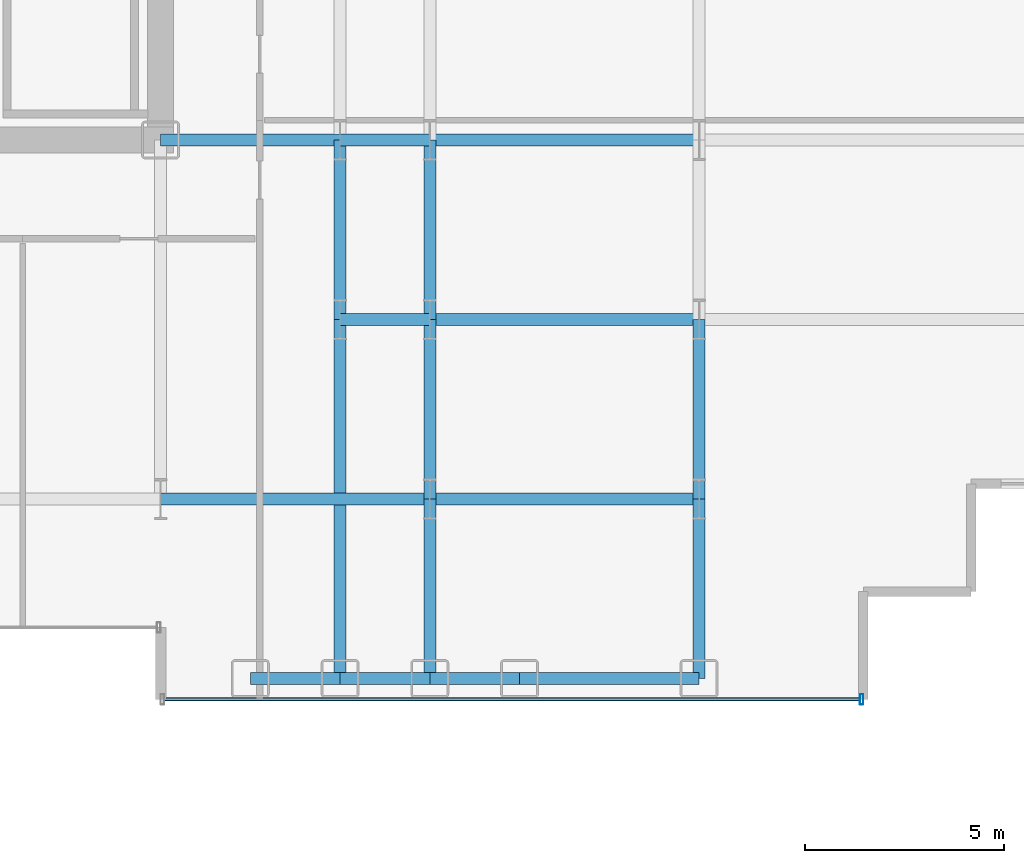
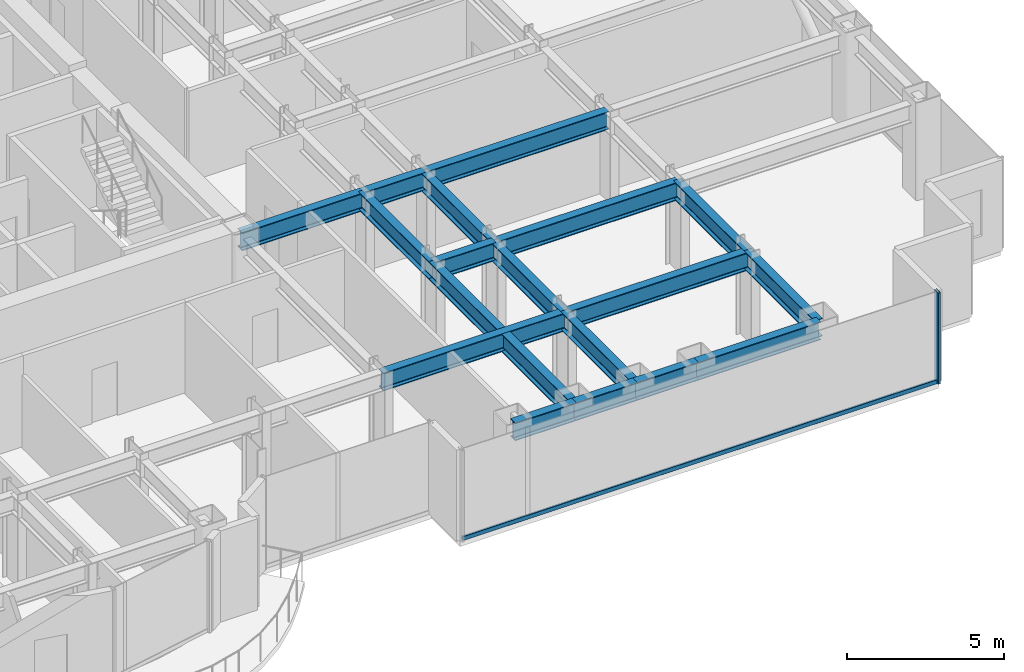
# One storey, part 9 of 29: 18 beams, 2 members, 1 element without a shape of its own.
"""IFC4 building model written with IfcOpenShell, lengths in metres."""

from ifc_helpers import new_model, si_unit, direction, frame, origin, origin_2d, place, context, subcontext, project, spatial, hollow_rectangle, i_section, extrude, source, transform, mapped, material, layer, layer_set, material_profile, profile_set, type_object, element, aggregate, save


model = new_model("IFC4")

# Units and contexts
model_context = context("Model", 3, precision=1e-05, world=origin(), true_north=direction((0.0, 1.0)))
body_context = subcontext(model_context, "Body", "Model", "MODEL_VIEW")
ifc_project = project(units=[si_unit("LENGTHUNIT", "METRE"), si_unit("AREAUNIT", "SQUARE_METRE"), si_unit("VOLUMEUNIT", "CUBIC_METRE"), si_unit("PLANEANGLEUNIT", "RADIAN"), si_unit("MASSUNIT", "GRAM", prefix="KILO")], contexts=[model_context])

# Site, building, storey
site_placement = place(None, origin())
site = spatial("IfcSite", under=ifc_project, at=site_placement, CompositionType="ELEMENT")
building_placement = place(site_placement, origin())
building = spatial("IfcBuilding", under=site, at=building_placement, Name="Nefas-Gora Pilgrimage Tower", CompositionType="ELEMENT")
storey_placement = place(building_placement, frame((0.0, 0.0, 55.800048828125)))
storey = spatial("IfcBuildingStorey", under=building, at=storey_placement, Name="L12", CompositionType="ELEMENT", Elevation=55.800048828125)

# Beams
ifc_material_1 = material(Name="Steel S355", Category="steel")
ifc_material_profile_1 = material_profile(ifc_material_1, i_section(OverallWidth=0.300048828125, OverallDepth=0.699951171875, WebThickness=0.01708984375, FlangeThickness=0.031982421875, FilletRadius=0.027099609375, at=origin_2d()), Name="HEB 700")
ifc_profile_set_1 = profile_set([ifc_material_profile_1], Name="Steel S355")
beam_type_1 = type_object("IfcBeamType", Name="BM-SPN-HEB600", PredefinedType="SPANDREL", material=ifc_profile_set_1)
shared_shape_1 = source(origin(), body_context, "Body", "SweptSolid", [
    extrude(i_section(OverallWidth=0.300048828125, OverallDepth=0.699951171875, WebThickness=0.01708984375, FlangeThickness=0.031982421875, FilletRadius=0.027099609375, at=origin_2d()), origin(), (0.0, 0.0, 1.0), 4.5),
])
beam_1_placement = place(storey_placement, frame((20.25, -22.5, 3.199951171875), z_axis=(1.0, 0.0, 0.0), x_axis=(0.0, 1.0, 0.0)))
element("IfcBeam", 1, at=beam_1_placement, inside=storey, type_object=beam_type_1, Name="L12 SP-01 beam", PredefinedType="SPANDREL", context=body_context, shape_type="MappedRepresentation", body=[
    mapped(shared_shape_1, transform((0.0, 0.0, 0.0), x_axis=(1.0, 0.0, 0.0), y_axis=(0.0, 1.0, 0.0), z_axis=(0.0, 0.0, 1.0), scale=1.0)),
])
ifc_material_profile_2 = material_profile(ifc_material_1, i_section(OverallWidth=0.300048828125, OverallDepth=0.699951171875, WebThickness=0.01708984375, FlangeThickness=0.031982421875, FilletRadius=0.027099609375, at=origin_2d()), Name="HEB 700")
ifc_profile_set_2 = profile_set([ifc_material_profile_2], Name="Steel S355")
beam_type_2 = type_object("IfcBeamType", Name="BM-GIR-HEB700", PredefinedType="BEAM", material=ifc_profile_set_2)
shared_shape_2 = source(origin(), body_context, "Body", "SweptSolid", [
    extrude(i_section(OverallWidth=0.300048828125, OverallDepth=0.699951171875, WebThickness=0.01708984375, FlangeThickness=0.031982421875, FilletRadius=0.027099609375, at=origin_2d()), origin(), (0.0, 0.0, 1.0), 9.0),
])
beam_2_placement = place(storey_placement, frame((15.75, -22.5, 3.199951171875), z_axis=(0.0, 1.0, 0.0), x_axis=(-1.0, 0.0, 0.0)))
element("IfcBeam", 2, at=beam_2_placement, inside=storey, type_object=beam_type_2, Name="L12 G-02 beam", PredefinedType="BEAM", context=body_context, shape_type="MappedRepresentation", body=[
    mapped(shared_shape_2, transform((0.0, 0.0, 0.0), x_axis=(1.0, 0.0, 0.0), y_axis=(0.0, 1.0, 0.0), z_axis=(0.0, 0.0, 1.0), scale=1.0)),
])
shared_shape_3 = source(origin(), body_context, "Body", "SweptSolid", [
    extrude(i_section(OverallWidth=0.300048828125, OverallDepth=0.699951171875, WebThickness=0.01708984375, FlangeThickness=0.031982421875, FilletRadius=0.027099609375, at=origin_2d()), origin(), (0.0, 0.0, 1.0), 4.5),
])
for number, where, z_axis, x_axis, name in (
    (3, (11.25, -9.0, 3.199951171875), (1.0, 0.0, 0.0), (0.0, 1.0, 0.0), "L12 G-02 beam"),
    (4, (15.75, -13.5, 3.199951171875), (0.0, 1.0, 0.0), (-1.0, 0.0, 0.0), "L12 G-02 beam"),
    (5, (18.0, -22.5, 3.199951171875), (0.0, 1.0, 0.0), (-1.0, 0.0, 0.0), "L12 G-02 beam"),
    (6, (18.0, -18.0, 3.199951171875), (0.0, 1.0, 0.0), (-1.0, 0.0, 0.0), "L12 G-02 beam"),
    (7, (18.0, -13.5, 3.199951171875), (0.0, 1.0, 0.0), (-1.0, 0.0, 0.0), "L12 G-02 beam"),
    (8, (24.75, -22.5, 3.199951171875), (0.0, 1.0, 0.0), (-1.0, 0.0, 0.0), "L12 G-02 beam"),
    (9, (24.75, -18.0, 3.199951171875), (0.0, 1.0, 0.0), (-1.0, 0.0, 0.0), "L12 G-02 beam"),
):
    element("IfcBeam", number, at=place(storey_placement, frame(where, z_axis=z_axis, x_axis=x_axis)), inside=storey, type_object=beam_type_2, Name=name, PredefinedType="BEAM", context=body_context, shape_type="MappedRepresentation", body=[
        mapped(shared_shape_3, transform((0.0, 0.0, 0.0), x_axis=(1.0, 0.0, 0.0), y_axis=(0.0, 1.0, 0.0), z_axis=(0.0, 0.0, 1.0), scale=1.0)),
    ])
shared_shape_4 = source(origin(), body_context, "Body", "SweptSolid", [
    extrude(i_section(OverallWidth=0.300048828125, OverallDepth=0.699951171875, WebThickness=0.01708984375, FlangeThickness=0.031982421875, FilletRadius=0.027099609375, at=origin_2d()), origin(), (0.0, 0.0, 1.0), 6.75),
])
for number, where, z_axis, x_axis, name in (
    (10, (11.25, -18.0, 3.199951171875), (1.0, 0.0, 0.0), (0.0, 1.0, 0.0), "L12 G-02 beam"),
    (11, (18.0, -18.0, 3.199951171875), (1.0, 0.0, 0.0), (0.0, 1.0, 0.0), "L12 G-02 beam"),
    (12, (18.0, -13.5, 3.199951171875), (1.0, 0.0, 0.0), (0.0, 1.0, 0.0), "L12 G-02 beam"),
    (13, (18.0, -9.0, 3.199951171875), (1.0, 0.0, 0.0), (0.0, 1.0, 0.0), "L12 G-02 beam"),
):
    element("IfcBeam", number, at=place(storey_placement, frame(where, z_axis=z_axis, x_axis=x_axis)), inside=storey, type_object=beam_type_2, Name=name, PredefinedType="BEAM", context=body_context, shape_type="MappedRepresentation", body=[
        mapped(shared_shape_4, transform((0.0, 0.0, 0.0), x_axis=(1.0, 0.0, 0.0), y_axis=(0.0, 1.0, 0.0), z_axis=(0.0, 0.0, 1.0), scale=1.0)),
    ])
shared_shape_5 = source(origin(), body_context, "Body", "SweptSolid", [
    extrude(i_section(OverallWidth=0.300048828125, OverallDepth=0.699951171875, WebThickness=0.01708984375, FlangeThickness=0.031982421875, FilletRadius=0.027099609375, at=origin_2d()), origin(), (0.0, 0.0, 1.0), 2.25),
])
for number, where, z_axis, x_axis, name in (
    (14, (13.5, -22.5, 3.199951171875), (1.0, 0.0, 0.0), (0.0, 1.0, 0.0), "L12 SP-01 beam"),
    (15, (15.75, -22.5, 3.199951171875), (1.0, 0.0, 0.0), (0.0, 1.0, 0.0), "L12 SP-01 beam"),
    (16, (18.0, -22.5, 3.199951171875), (1.0, 0.0, 0.0), (0.0, 1.0, 0.0), "L12 SP-01 beam"),
):
    element("IfcBeam", number, at=place(storey_placement, frame(where, z_axis=z_axis, x_axis=x_axis)), inside=storey, type_object=beam_type_1, Name=name, PredefinedType="SPANDREL", context=body_context, shape_type="MappedRepresentation", body=[
        mapped(shared_shape_5, transform((0.0, 0.0, 0.0), x_axis=(1.0, 0.0, 0.0), y_axis=(0.0, 1.0, 0.0), z_axis=(0.0, 0.0, 1.0), scale=1.0)),
    ])
shared_shape_6 = source(origin(), body_context, "Body", "SweptSolid", [
    extrude(i_section(OverallWidth=0.300048828125, OverallDepth=0.699951171875, WebThickness=0.01708984375, FlangeThickness=0.031982421875, FilletRadius=0.027099609375, at=origin_2d()), origin(), (0.0, 0.0, 1.0), 2.25),
])
for number, where, z_axis, x_axis, name in (
    (17, (15.75, -13.5, 3.199951171875), (1.0, 0.0, 0.0), (0.0, 1.0, 0.0), "L12 G-02 beam"),
    (18, (15.75, -9.0, 3.199951171875), (1.0, 0.0, 0.0), (0.0, 1.0, 0.0), "L12 G-02 beam"),
):
    element("IfcBeam", number, at=place(storey_placement, frame(where, z_axis=z_axis, x_axis=x_axis)), inside=storey, type_object=beam_type_2, Name=name, PredefinedType="BEAM", context=body_context, shape_type="MappedRepresentation", body=[
        mapped(shared_shape_6, transform((0.0, 0.0, 0.0), x_axis=(1.0, 0.0, 0.0), y_axis=(0.0, 1.0, 0.0), z_axis=(0.0, 0.0, 1.0), scale=1.0)),
    ])

# Curtain wall, members
ifc_material_2 = material(Name="Dark ceramic-fritted solar-control aluminium-glass curtain wall", Category="aluminium")
ifc_layer = layer(ifc_material_2, 0.219970703125)
ifc_layer_set = layer_set([ifc_layer], Name="Dark ceramic-fritted solar-control aluminium-glass curtain wall")
curtain_wall_type = type_object("IfcCurtainWallType", Name="CW-SYS-2", PredefinedType="NOTDEFINED", material=ifc_layer_set)
curtain_wall_placement = place(storey_placement, origin())
curtain_wall = element("IfcCurtainWall", 19, at=curtain_wall_placement, inside=storey, type_object=curtain_wall_type, Name="L12 Unitised Curtain Wall CW2", PredefinedType="NOTDEFINED")
ifc_material_3 = material(Name="Anodised architectural aluminium", Category="aluminium")
ifc_material_profile_3 = material_profile(ifc_material_3, hollow_rectangle(XDim=0.090087890625, YDim=0.260009765625, WallThickness=0.006103515625, InnerFilletRadius=0.006103515625, OuterFilletRadius=0.011962890625, at=origin_2d()), Name="ALU MULLION 90x260")
ifc_profile_set_3 = profile_set([ifc_material_profile_3], Name="Anodised architectural aluminium")
member_type_1 = type_object("IfcMemberType", Name="CWM-MUL-2", PredefinedType="MULLION", material=ifc_profile_set_3)
shared_shape_7 = source(origin(), body_context, "Body", "SweptSolid", [
    extrude(hollow_rectangle(XDim=0.090087890625, YDim=0.260009765625, WallThickness=0.006103515625, InnerFilletRadius=0.006103515625, OuterFilletRadius=0.011962890625, at=origin_2d()), origin(), (0.0, 0.0, 1.0), 3.550048828125),
])
member_1_placement = place(storey_placement, frame((28.824951171875, -23.02001953125, 0.0), z_axis=(0.0, 0.0, 1.0), x_axis=(1.0, 0.0, 0.0)))
member_1 = element("IfcMember", 20, at=member_1_placement, type_object=member_type_1, Name="CW2 Mullion 2", PredefinedType="MULLION", context=body_context, shape_type="MappedRepresentation", body=[
    mapped(shared_shape_7, transform((0.0, 0.0, 0.0), x_axis=(1.0, 0.0, 0.0), y_axis=(0.0, 1.0, 0.0), z_axis=(0.0, 0.0, 1.0), scale=1.0)),
])
ifc_material_profile_4 = material_profile(ifc_material_3, hollow_rectangle(XDim=0.080078125, YDim=0.159912109375, WallThickness=0.00439453125, InnerFilletRadius=0.00439453125, OuterFilletRadius=0.009033203125, at=origin_2d()), Name="ALU TRANSOM 80x160")
ifc_profile_set_4 = profile_set([ifc_material_profile_4], Name="Anodised architectural aluminium")
member_type_2 = type_object("IfcMemberType", Name="CWM-TRN-2", PredefinedType="USERDEFINED", material=ifc_profile_set_4)
shared_shape_8 = source(origin(), body_context, "Body", "SweptSolid", [
    extrude(hollow_rectangle(XDim=0.080078125, YDim=0.159912109375, WallThickness=0.00439453125, InnerFilletRadius=0.00439453125, OuterFilletRadius=0.009033203125, at=origin_2d()), origin(), (0.0, 0.0, 1.0), 17.43994140625),
])
member_2_placement = place(storey_placement, frame((11.340087890625, -23.02001953125, 0.050048828125), z_axis=(1.0, 0.0, 0.0), x_axis=(0.0, 1.0, 0.0)))
member_2 = element("IfcMember", 21, at=member_2_placement, type_object=member_type_2, Name="CW2 Spandrel Transom", ObjectType="TRANSOM", PredefinedType="USERDEFINED", context=body_context, shape_type="MappedRepresentation", body=[
    mapped(shared_shape_8, transform((0.0, 0.0, 0.0), x_axis=(1.0, 0.0, 0.0), y_axis=(0.0, 1.0, 0.0), z_axis=(0.0, 0.0, 1.0), scale=1.0)),
])
aggregate(curtain_wall, [member_1, member_2])

save(model, "model.ifc")
